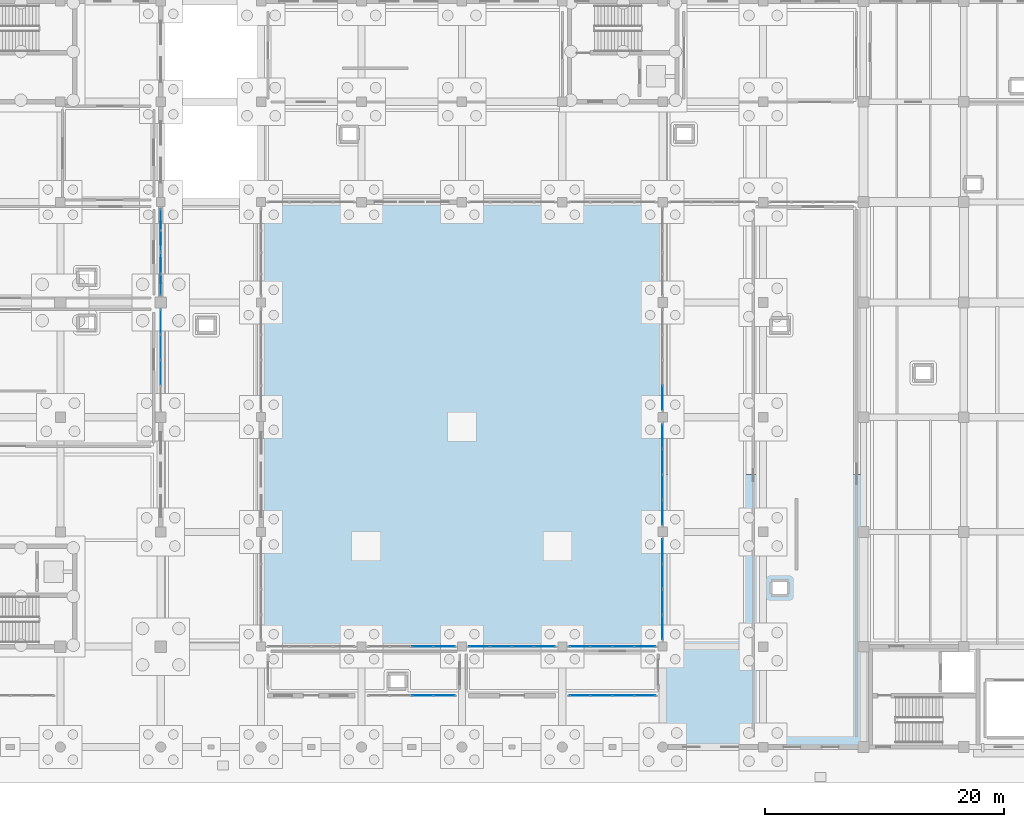
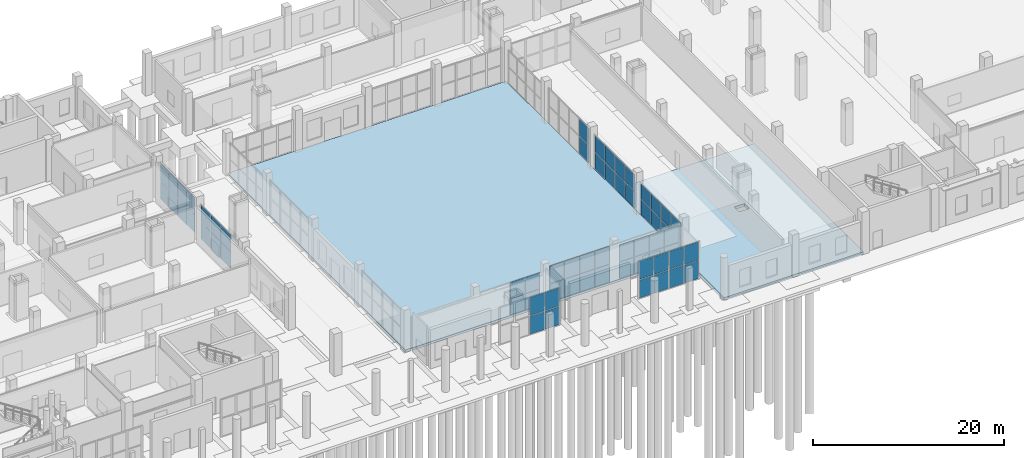
# One storey, part 33 of 65: 64 plates, 2 slabs, 10 elements without a shape of their own.
"""IFC4 building model written with IfcOpenShell, lengths in metres."""

from ifc_helpers import new_model, si_unit, direction, frame, origin, origin_2d, place, context, subcontext, project, spatial, polyline, rectangle, outline, extrude, material, layer, layer_set, type_object, element, aggregate, save


model = new_model("IFC4")

# Units and contexts
model_context = context("Model", 3, precision=1e-05, world=origin(), true_north=direction((0.0, 1.0)))
body_context = subcontext(model_context, "Body", "Model", "MODEL_VIEW")
ifc_project = project(units=[si_unit("LENGTHUNIT", "METRE"), si_unit("AREAUNIT", "SQUARE_METRE"), si_unit("VOLUMEUNIT", "CUBIC_METRE"), si_unit("PLANEANGLEUNIT", "RADIAN"), si_unit("MASSUNIT", "GRAM", prefix="KILO")], contexts=[model_context])

# Site, building, storey
site_placement = place(None, origin())
site = spatial("IfcSite", under=ifc_project, at=site_placement, CompositionType="ELEMENT")
building_placement = place(site_placement, origin())
building = spatial("IfcBuilding", under=site, at=building_placement, Name="Zulmaris Art Gallery", CompositionType="ELEMENT")
storey_placement = place(building_placement, origin())
storey = spatial("IfcBuildingStorey", under=building, at=storey_placement, Name="L00", CompositionType="ELEMENT", Elevation=0.0)

# Curtain wall, plates
ifc_material_1 = material(Name="Cloister & Court Glazed Curtain Wall", Category="aluminium")
ifc_layer_1 = layer(ifc_material_1, 0.179931640625)
ifc_layer_set_1 = layer_set([ifc_layer_1], Name="Cloister & Court Glazed Curtain Wall")
curtain_wall_type_1 = type_object("IfcCurtainWallType", Name="CW-CW03", PredefinedType="NOTDEFINED", material=ifc_layer_set_1)
curtain_wall_1_placement = place(storey_placement, origin())
curtain_wall_1 = element("IfcCurtainWall", 1, at=curtain_wall_1_placement, inside=storey, type_object=curtain_wall_type_1, Name="L00 curtain wall 55", PredefinedType="NOTDEFINED")
ifc_material_2 = material(Name="Triple Solar-Control Laminated Glass", Category="glass")
ifc_layer_2 = layer(ifc_material_2, 0.035888671875)
ifc_layer_set_2 = layer_set([ifc_layer_2], Name="Triple Solar-Control Laminated Glass")
plate_type = type_object("IfcPlateType", Name="CWPAN-GLZ", PredefinedType="CURTAIN_PANEL", material=ifc_layer_set_2)
plate_1_placement = place(storey_placement, frame((104.715087890625, 17.5, 0.074951171875), z_axis=(0.0, 0.0, 1.0), x_axis=(1.0, 0.0, 0.0)))
plate_1 = element("IfcPlate", 2, at=plate_1_placement, type_object=plate_type, Name="CW03 panel 3.1", PredefinedType="CURTAIN_PANEL", context=body_context, shape_type="SweptSolid", body=[
    extrude(rectangle(XDim=1.7548828125, YDim=0.031982421875, at=origin_2d()), origin(), (0.0, 0.0, 1.0), 2.3125),
])
plate_2_placement = place(storey_placement, frame((104.715087890625, 17.5, 2.46240234375), z_axis=(0.0, 0.0, 1.0), x_axis=(1.0, 0.0, 0.0)))
plate_2 = element("IfcPlate", 3, at=plate_2_placement, type_object=plate_type, Name="CW03 panel 3.2", PredefinedType="CURTAIN_PANEL", context=body_context, shape_type="SweptSolid", body=[
    extrude(rectangle(XDim=1.7548828125, YDim=0.031982421875, at=origin_2d()), origin(), (0.0, 0.0, 1.0), 2.3125),
])
plate_3_placement = place(storey_placement, frame((106.5263671875, 17.5, 0.074951171875), z_axis=(0.0, 0.0, 1.0), x_axis=(1.0, 0.0, 0.0)))
plate_3 = element("IfcPlate", 4, at=plate_3_placement, type_object=plate_type, Name="CW03 panel 4.1", PredefinedType="CURTAIN_PANEL", context=body_context, shape_type="SweptSolid", body=[
    extrude(rectangle(XDim=1.717529296875, YDim=0.031982421875, at=origin_2d()), origin(), (0.0, 0.0, 1.0), 2.3125),
])
plate_4_placement = place(storey_placement, frame((106.5263671875, 17.5, 2.46240234375), z_axis=(0.0, 0.0, 1.0), x_axis=(1.0, 0.0, 0.0)))
plate_4 = element("IfcPlate", 5, at=plate_4_placement, type_object=plate_type, Name="CW03 panel 4.2", PredefinedType="CURTAIN_PANEL", context=body_context, shape_type="SweptSolid", body=[
    extrude(rectangle(XDim=1.717529296875, YDim=0.031982421875, at=origin_2d()), origin(), (0.0, 0.0, 1.0), 2.3125),
])
aggregate(curtain_wall_1, [plate_1, plate_2, plate_3, plate_4])

curtain_wall_2_placement = place(storey_placement, origin())
curtain_wall_2 = element("IfcCurtainWall", 6, at=curtain_wall_2_placement, inside=storey, type_object=curtain_wall_type_1, Name="L00 curtain wall 56", PredefinedType="NOTDEFINED")
plate_5_placement = place(storey_placement, frame((117.873779296875, 17.5, 0.074951171875), z_axis=(0.0, 0.0, 1.0), x_axis=(1.0, 0.0, 0.0)))
plate_5 = element("IfcPlate", 7, at=plate_5_placement, type_object=plate_type, Name="CW03 panel 1.1", PredefinedType="CURTAIN_PANEL", context=body_context, shape_type="SweptSolid", body=[
    extrude(rectangle(XDim=1.717529296875, YDim=0.031982421875, at=origin_2d()), origin(), (0.0, 0.0, 1.0), 2.3125),
])
plate_6_placement = place(storey_placement, frame((117.873779296875, 17.5, 2.46240234375), z_axis=(0.0, 0.0, 1.0), x_axis=(1.0, 0.0, 0.0)))
plate_6 = element("IfcPlate", 8, at=plate_6_placement, type_object=plate_type, Name="CW03 panel 1.2", PredefinedType="CURTAIN_PANEL", context=body_context, shape_type="SweptSolid", body=[
    extrude(rectangle(XDim=1.717529296875, YDim=0.031982421875, at=origin_2d()), origin(), (0.0, 0.0, 1.0), 2.3125),
])
plate_7_placement = place(storey_placement, frame((119.68505859375, 17.5, 0.074951171875), z_axis=(0.0, 0.0, 1.0), x_axis=(1.0, 0.0, 0.0)))
plate_7 = element("IfcPlate", 9, at=plate_7_placement, type_object=plate_type, Name="CW03 panel 2.1", PredefinedType="CURTAIN_PANEL", context=body_context, shape_type="SweptSolid", body=[
    extrude(rectangle(XDim=1.7548828125, YDim=0.031982421875, at=origin_2d()), origin(), (0.0, 0.0, 1.0), 2.3125),
])
plate_8_placement = place(storey_placement, frame((119.68505859375, 17.5, 2.46240234375), z_axis=(0.0, 0.0, 1.0), x_axis=(1.0, 0.0, 0.0)))
plate_8 = element("IfcPlate", 10, at=plate_8_placement, type_object=plate_type, Name="CW03 panel 2.2", PredefinedType="CURTAIN_PANEL", context=body_context, shape_type="SweptSolid", body=[
    extrude(rectangle(XDim=1.7548828125, YDim=0.031982421875, at=origin_2d()), origin(), (0.0, 0.0, 1.0), 2.3125),
])
plate_9_placement = place(storey_placement, frame((121.514892578125, 17.5, 0.074951171875), z_axis=(0.0, 0.0, 1.0), x_axis=(1.0, 0.0, 0.0)))
plate_9 = element("IfcPlate", 11, at=plate_9_placement, type_object=plate_type, Name="CW03 panel 3.1", PredefinedType="CURTAIN_PANEL", context=body_context, shape_type="SweptSolid", body=[
    extrude(rectangle(XDim=1.7548828125, YDim=0.031982421875, at=origin_2d()), origin(), (0.0, 0.0, 1.0), 2.3125),
])
plate_10_placement = place(storey_placement, frame((121.514892578125, 17.5, 2.46240234375), z_axis=(0.0, 0.0, 1.0), x_axis=(1.0, 0.0, 0.0)))
plate_10 = element("IfcPlate", 12, at=plate_10_placement, type_object=plate_type, Name="CW03 panel 3.2", PredefinedType="CURTAIN_PANEL", context=body_context, shape_type="SweptSolid", body=[
    extrude(rectangle(XDim=1.7548828125, YDim=0.031982421875, at=origin_2d()), origin(), (0.0, 0.0, 1.0), 2.3125),
])
plate_11_placement = place(storey_placement, frame((123.326171875, 17.5, 0.074951171875), z_axis=(0.0, 0.0, 1.0), x_axis=(1.0, 0.0, 0.0)))
plate_11 = element("IfcPlate", 13, at=plate_11_placement, type_object=plate_type, Name="CW03 panel 4.1", PredefinedType="CURTAIN_PANEL", context=body_context, shape_type="SweptSolid", body=[
    extrude(rectangle(XDim=1.717529296875, YDim=0.031982421875, at=origin_2d()), origin(), (0.0, 0.0, 1.0), 2.3125),
])
plate_12_placement = place(storey_placement, frame((123.326171875, 17.5, 2.46240234375), z_axis=(0.0, 0.0, 1.0), x_axis=(1.0, 0.0, 0.0)))
plate_12 = element("IfcPlate", 14, at=plate_12_placement, type_object=plate_type, Name="CW03 panel 4.2", PredefinedType="CURTAIN_PANEL", context=body_context, shape_type="SweptSolid", body=[
    extrude(rectangle(XDim=1.717529296875, YDim=0.031982421875, at=origin_2d()), origin(), (0.0, 0.0, 1.0), 2.3125),
])
aggregate(curtain_wall_2, [plate_5, plate_6, plate_7, plate_8, plate_9, plate_10, plate_11, plate_12])

curtain_wall_3_placement = place(storey_placement, origin())
curtain_wall_3 = element("IfcCurtainWall", 15, at=curtain_wall_3_placement, inside=storey, type_object=curtain_wall_type_1, Name="L00 curtain wall 67", PredefinedType="NOTDEFINED")
plate_13_placement = place(storey_placement, frame((82.800048828125, 44.534912109375, 0.074951171875), z_axis=(0.0, 0.0, 1.0), x_axis=(0.0, 1.0, 0.0)))
plate_13 = element("IfcPlate", 16, at=plate_13_placement, type_object=plate_type, Name="CW03 panel 2.1", PredefinedType="CURTAIN_PANEL", context=body_context, shape_type="SweptSolid", body=[
    extrude(rectangle(XDim=2.054931640625, YDim=0.031982421875, at=origin_2d()), origin(), (0.0, 0.0, 1.0), 2.107421875),
])
plate_14_placement = place(storey_placement, frame((82.800048828125, 44.534912109375, 2.257568359375), z_axis=(0.0, 0.0, 1.0), x_axis=(0.0, 1.0, 0.0)))
plate_14 = element("IfcPlate", 17, at=plate_14_placement, type_object=plate_type, Name="CW03 panel 2.2", PredefinedType="CURTAIN_PANEL", context=body_context, shape_type="SweptSolid", body=[
    extrude(rectangle(XDim=2.054931640625, YDim=0.031982421875, at=origin_2d()), origin(), (0.0, 0.0, 1.0), 2.107421875),
])
plate_15_placement = place(storey_placement, frame((82.800048828125, 46.6650390625, 0.074951171875), z_axis=(0.0, 0.0, 1.0), x_axis=(0.0, 1.0, 0.0)))
plate_15 = element("IfcPlate", 18, at=plate_15_placement, type_object=plate_type, Name="CW03 panel 3.1", PredefinedType="CURTAIN_PANEL", context=body_context, shape_type="SweptSolid", body=[
    extrude(rectangle(XDim=2.054931640625, YDim=0.031982421875, at=origin_2d()), origin(), (0.0, 0.0, 1.0), 2.107421875),
])
plate_16_placement = place(storey_placement, frame((82.800048828125, 46.6650390625, 2.257568359375), z_axis=(0.0, 0.0, 1.0), x_axis=(0.0, 1.0, 0.0)))
plate_16 = element("IfcPlate", 19, at=plate_16_placement, type_object=plate_type, Name="CW03 panel 3.2", PredefinedType="CURTAIN_PANEL", context=body_context, shape_type="SweptSolid", body=[
    extrude(rectangle(XDim=2.054931640625, YDim=0.031982421875, at=origin_2d()), origin(), (0.0, 0.0, 1.0), 2.107421875),
])
plate_17_placement = place(storey_placement, frame((82.800048828125, 48.7763671875, 0.074951171875), z_axis=(0.0, 0.0, 1.0), x_axis=(0.0, 1.0, 0.0)))
plate_17 = element("IfcPlate", 20, at=plate_17_placement, type_object=plate_type, Name="CW03 panel 4.1", PredefinedType="CURTAIN_PANEL", context=body_context, shape_type="SweptSolid", body=[
    extrude(rectangle(XDim=2.017578125, YDim=0.031982421875, at=origin_2d()), origin(), (0.0, 0.0, 1.0), 2.107421875),
])
plate_18_placement = place(storey_placement, frame((82.800048828125, 48.7763671875, 2.257568359375), z_axis=(0.0, 0.0, 1.0), x_axis=(0.0, 1.0, 0.0)))
plate_18 = element("IfcPlate", 21, at=plate_18_placement, type_object=plate_type, Name="CW03 panel 4.2", PredefinedType="CURTAIN_PANEL", context=body_context, shape_type="SweptSolid", body=[
    extrude(rectangle(XDim=2.017578125, YDim=0.031982421875, at=origin_2d()), origin(), (0.0, 0.0, 1.0), 2.107421875),
])
aggregate(curtain_wall_3, [plate_13, plate_14, plate_15, plate_16, plate_17, plate_18])

curtain_wall_4_placement = place(storey_placement, origin())
curtain_wall_4 = element("IfcCurtainWall", 22, at=curtain_wall_4_placement, inside=storey, type_object=curtain_wall_type_1, Name="L00 curtain wall 69", PredefinedType="NOTDEFINED")
plate_19_placement = place(storey_placement, frame((82.800048828125, 51.873779296875, 0.074951171875), z_axis=(0.0, 0.0, 1.0), x_axis=(0.0, 1.0, 0.0)))
plate_19 = element("IfcPlate", 23, at=plate_19_placement, type_object=plate_type, Name="CW03 panel 1.1", PredefinedType="CURTAIN_PANEL", context=body_context, shape_type="SweptSolid", body=[
    extrude(rectangle(XDim=1.717529296875, YDim=0.031982421875, at=origin_2d()), origin(), (0.0, 0.0, 1.0), 2.1826171875),
])
plate_20_placement = place(storey_placement, frame((82.800048828125, 51.873779296875, 2.33251953125), z_axis=(0.0, 0.0, 1.0), x_axis=(0.0, 1.0, 0.0)))
plate_20 = element("IfcPlate", 24, at=plate_20_placement, type_object=plate_type, Name="CW03 panel 1.2", PredefinedType="CURTAIN_PANEL", context=body_context, shape_type="SweptSolid", body=[
    extrude(rectangle(XDim=1.717529296875, YDim=0.031982421875, at=origin_2d()), origin(), (0.0, 0.0, 1.0), 2.1826171875),
])
plate_21_placement = place(storey_placement, frame((82.800048828125, 53.68505859375, 0.074951171875), z_axis=(0.0, 0.0, 1.0), x_axis=(0.0, 1.0, 0.0)))
plate_21 = element("IfcPlate", 25, at=plate_21_placement, type_object=plate_type, Name="CW03 panel 2.1", PredefinedType="CURTAIN_PANEL", context=body_context, shape_type="SweptSolid", body=[
    extrude(rectangle(XDim=1.7548828125, YDim=0.031982421875, at=origin_2d()), origin(), (0.0, 0.0, 1.0), 2.1826171875),
])
plate_22_placement = place(storey_placement, frame((82.800048828125, 53.68505859375, 2.33251953125), z_axis=(0.0, 0.0, 1.0), x_axis=(0.0, 1.0, 0.0)))
plate_22 = element("IfcPlate", 26, at=plate_22_placement, type_object=plate_type, Name="CW03 panel 2.2", PredefinedType="CURTAIN_PANEL", context=body_context, shape_type="SweptSolid", body=[
    extrude(rectangle(XDim=1.7548828125, YDim=0.031982421875, at=origin_2d()), origin(), (0.0, 0.0, 1.0), 2.1826171875),
])
plate_23_placement = place(storey_placement, frame((82.800048828125, 55.514892578125, 0.074951171875), z_axis=(0.0, 0.0, 1.0), x_axis=(0.0, 1.0, 0.0)))
plate_23 = element("IfcPlate", 27, at=plate_23_placement, type_object=plate_type, Name="CW03 panel 3.1", PredefinedType="CURTAIN_PANEL", context=body_context, shape_type="SweptSolid", body=[
    extrude(rectangle(XDim=1.7548828125, YDim=0.031982421875, at=origin_2d()), origin(), (0.0, 0.0, 1.0), 2.1826171875),
])
plate_24_placement = place(storey_placement, frame((82.800048828125, 55.514892578125, 2.33251953125), z_axis=(0.0, 0.0, 1.0), x_axis=(0.0, 1.0, 0.0)))
plate_24 = element("IfcPlate", 28, at=plate_24_placement, type_object=plate_type, Name="CW03 panel 3.2", PredefinedType="CURTAIN_PANEL", context=body_context, shape_type="SweptSolid", body=[
    extrude(rectangle(XDim=1.7548828125, YDim=0.031982421875, at=origin_2d()), origin(), (0.0, 0.0, 1.0), 2.1826171875),
])
plate_25_placement = place(storey_placement, frame((82.800048828125, 57.326171875, 0.074951171875), z_axis=(0.0, 0.0, 1.0), x_axis=(0.0, 1.0, 0.0)))
plate_25 = element("IfcPlate", 29, at=plate_25_placement, type_object=plate_type, Name="CW03 panel 4.1", PredefinedType="CURTAIN_PANEL", context=body_context, shape_type="SweptSolid", body=[
    extrude(rectangle(XDim=1.717529296875, YDim=0.031982421875, at=origin_2d()), origin(), (0.0, 0.0, 1.0), 2.1826171875),
])
plate_26_placement = place(storey_placement, frame((82.800048828125, 57.326171875, 2.33251953125), z_axis=(0.0, 0.0, 1.0), x_axis=(0.0, 1.0, 0.0)))
plate_26 = element("IfcPlate", 30, at=plate_26_placement, type_object=plate_type, Name="CW03 panel 4.2", PredefinedType="CURTAIN_PANEL", context=body_context, shape_type="SweptSolid", body=[
    extrude(rectangle(XDim=1.717529296875, YDim=0.031982421875, at=origin_2d()), origin(), (0.0, 0.0, 1.0), 2.1826171875),
])
aggregate(curtain_wall_4, [plate_19, plate_20, plate_21, plate_22, plate_23, plate_24, plate_25, plate_26])

ifc_material_3 = material(Name="Unitised Low-E Gallery Curtain Wall", Category="aluminium")
ifc_layer_3 = layer(ifc_material_3, 0.179931640625)
ifc_layer_set_3 = layer_set([ifc_layer_3], Name="Unitised Low-E Gallery Curtain Wall")
curtain_wall_type_2 = type_object("IfcCurtainWallType", Name="CW-CW01", PredefinedType="NOTDEFINED", material=ifc_layer_set_3)
curtain_wall_5_placement = place(storey_placement, origin())
curtain_wall_5 = element("IfcCurtainWall", 31, at=curtain_wall_5_placement, inside=storey, type_object=curtain_wall_type_2, Name="L00 curtain wall 90", PredefinedType="NOTDEFINED")
plate_27_placement = place(storey_placement, frame((124.800048828125, 23.2236328125, 0.074951171875), z_axis=(0.0, 0.0, 1.0), x_axis=(0.0, 1.0, 0.0)))
plate_27 = element("IfcPlate", 32, at=plate_27_placement, type_object=plate_type, Name="CW01 panel 1.1", PredefinedType="CURTAIN_PANEL", context=body_context, shape_type="SweptSolid", body=[
    extrude(rectangle(XDim=2.017578125, YDim=0.031982421875, at=origin_2d()), origin(), (0.0, 0.0, 1.0), 1.9326171875),
])
plate_28_placement = place(storey_placement, frame((124.800048828125, 23.2236328125, 2.08251953125), z_axis=(0.0, 0.0, 1.0), x_axis=(0.0, 1.0, 0.0)))
plate_28 = element("IfcPlate", 33, at=plate_28_placement, type_object=plate_type, Name="CW01 panel 1.2", PredefinedType="CURTAIN_PANEL", context=body_context, shape_type="SweptSolid", body=[
    extrude(rectangle(XDim=2.017578125, YDim=0.031982421875, at=origin_2d()), origin(), (0.0, 0.0, 1.0), 1.9326171875),
])
plate_29_placement = place(storey_placement, frame((124.800048828125, 25.3349609375, 0.074951171875), z_axis=(0.0, 0.0, 1.0), x_axis=(0.0, 1.0, 0.0)))
plate_29 = element("IfcPlate", 34, at=plate_29_placement, type_object=plate_type, Name="CW01 panel 2.1", PredefinedType="CURTAIN_PANEL", context=body_context, shape_type="SweptSolid", body=[
    extrude(rectangle(XDim=2.054931640625, YDim=0.031982421875, at=origin_2d()), origin(), (0.0, 0.0, 1.0), 1.9326171875),
])
plate_30_placement = place(storey_placement, frame((124.800048828125, 25.3349609375, 2.08251953125), z_axis=(0.0, 0.0, 1.0), x_axis=(0.0, 1.0, 0.0)))
plate_30 = element("IfcPlate", 35, at=plate_30_placement, type_object=plate_type, Name="CW01 panel 2.2", PredefinedType="CURTAIN_PANEL", context=body_context, shape_type="SweptSolid", body=[
    extrude(rectangle(XDim=2.054931640625, YDim=0.031982421875, at=origin_2d()), origin(), (0.0, 0.0, 1.0), 1.9326171875),
])
plate_31_placement = place(storey_placement, frame((124.800048828125, 27.465087890625, 0.074951171875), z_axis=(0.0, 0.0, 1.0), x_axis=(0.0, 1.0, 0.0)))
plate_31 = element("IfcPlate", 36, at=plate_31_placement, type_object=plate_type, Name="CW01 panel 3.1", PredefinedType="CURTAIN_PANEL", context=body_context, shape_type="SweptSolid", body=[
    extrude(rectangle(XDim=2.054931640625, YDim=0.031982421875, at=origin_2d()), origin(), (0.0, 0.0, 1.0), 1.9326171875),
])
plate_32_placement = place(storey_placement, frame((124.800048828125, 27.465087890625, 2.08251953125), z_axis=(0.0, 0.0, 1.0), x_axis=(0.0, 1.0, 0.0)))
plate_32 = element("IfcPlate", 37, at=plate_32_placement, type_object=plate_type, Name="CW01 panel 3.2", PredefinedType="CURTAIN_PANEL", context=body_context, shape_type="SweptSolid", body=[
    extrude(rectangle(XDim=2.054931640625, YDim=0.031982421875, at=origin_2d()), origin(), (0.0, 0.0, 1.0), 1.9326171875),
])
plate_33_placement = place(storey_placement, frame((124.800048828125, 29.576171875, 0.074951171875), z_axis=(0.0, 0.0, 1.0), x_axis=(0.0, 1.0, 0.0)))
plate_33 = element("IfcPlate", 38, at=plate_33_placement, type_object=plate_type, Name="CW01 panel 4.1", PredefinedType="CURTAIN_PANEL", context=body_context, shape_type="SweptSolid", body=[
    extrude(rectangle(XDim=2.017578125, YDim=0.031982421875, at=origin_2d()), origin(), (0.0, 0.0, 1.0), 1.9326171875),
])
plate_34_placement = place(storey_placement, frame((124.800048828125, 29.576171875, 2.08251953125), z_axis=(0.0, 0.0, 1.0), x_axis=(0.0, 1.0, 0.0)))
plate_34 = element("IfcPlate", 39, at=plate_34_placement, type_object=plate_type, Name="CW01 panel 4.2", PredefinedType="CURTAIN_PANEL", context=body_context, shape_type="SweptSolid", body=[
    extrude(rectangle(XDim=2.017578125, YDim=0.031982421875, at=origin_2d()), origin(), (0.0, 0.0, 1.0), 1.9326171875),
])
aggregate(curtain_wall_5, [plate_27, plate_28, plate_29, plate_30, plate_31, plate_32, plate_33, plate_34])

curtain_wall_6_placement = place(storey_placement, origin())
curtain_wall_6 = element("IfcCurtainWall", 40, at=curtain_wall_6_placement, inside=storey, type_object=curtain_wall_type_2, Name="L00 curtain wall 91", PredefinedType="NOTDEFINED")
plate_35_placement = place(storey_placement, frame((124.800048828125, 32.82373046875, 0.074951171875), z_axis=(0.0, 0.0, 1.0), x_axis=(0.0, 1.0, 0.0)))
plate_35 = element("IfcPlate", 41, at=plate_35_placement, type_object=plate_type, Name="CW01 panel 1.1", PredefinedType="CURTAIN_PANEL", context=body_context, shape_type="SweptSolid", body=[
    extrude(rectangle(XDim=2.017578125, YDim=0.031982421875, at=origin_2d()), origin(), (0.0, 0.0, 1.0), 2.107421875),
])
plate_36_placement = place(storey_placement, frame((124.800048828125, 32.82373046875, 2.257568359375), z_axis=(0.0, 0.0, 1.0), x_axis=(0.0, 1.0, 0.0)))
plate_36 = element("IfcPlate", 42, at=plate_36_placement, type_object=plate_type, Name="CW01 panel 1.2", PredefinedType="CURTAIN_PANEL", context=body_context, shape_type="SweptSolid", body=[
    extrude(rectangle(XDim=2.017578125, YDim=0.031982421875, at=origin_2d()), origin(), (0.0, 0.0, 1.0), 2.107421875),
])
plate_37_placement = place(storey_placement, frame((124.800048828125, 34.93505859375, 0.074951171875), z_axis=(0.0, 0.0, 1.0), x_axis=(0.0, 1.0, 0.0)))
plate_37 = element("IfcPlate", 43, at=plate_37_placement, type_object=plate_type, Name="CW01 panel 2.1", PredefinedType="CURTAIN_PANEL", context=body_context, shape_type="SweptSolid", body=[
    extrude(rectangle(XDim=2.054931640625, YDim=0.031982421875, at=origin_2d()), origin(), (0.0, 0.0, 1.0), 2.107421875),
])
plate_38_placement = place(storey_placement, frame((124.800048828125, 34.93505859375, 2.257568359375), z_axis=(0.0, 0.0, 1.0), x_axis=(0.0, 1.0, 0.0)))
plate_38 = element("IfcPlate", 44, at=plate_38_placement, type_object=plate_type, Name="CW01 panel 2.2", PredefinedType="CURTAIN_PANEL", context=body_context, shape_type="SweptSolid", body=[
    extrude(rectangle(XDim=2.054931640625, YDim=0.031982421875, at=origin_2d()), origin(), (0.0, 0.0, 1.0), 2.107421875),
])
plate_39_placement = place(storey_placement, frame((124.800048828125, 37.06494140625, 0.074951171875), z_axis=(0.0, 0.0, 1.0), x_axis=(0.0, 1.0, 0.0)))
plate_39 = element("IfcPlate", 45, at=plate_39_placement, type_object=plate_type, Name="CW01 panel 3.1", PredefinedType="CURTAIN_PANEL", context=body_context, shape_type="SweptSolid", body=[
    extrude(rectangle(XDim=2.054931640625, YDim=0.031982421875, at=origin_2d()), origin(), (0.0, 0.0, 1.0), 2.107421875),
])
plate_40_placement = place(storey_placement, frame((124.800048828125, 37.06494140625, 2.257568359375), z_axis=(0.0, 0.0, 1.0), x_axis=(0.0, 1.0, 0.0)))
plate_40 = element("IfcPlate", 46, at=plate_40_placement, type_object=plate_type, Name="CW01 panel 3.2", PredefinedType="CURTAIN_PANEL", context=body_context, shape_type="SweptSolid", body=[
    extrude(rectangle(XDim=2.054931640625, YDim=0.031982421875, at=origin_2d()), origin(), (0.0, 0.0, 1.0), 2.107421875),
])
plate_41_placement = place(storey_placement, frame((124.800048828125, 39.17626953125, 0.074951171875), z_axis=(0.0, 0.0, 1.0), x_axis=(0.0, 1.0, 0.0)))
plate_41 = element("IfcPlate", 47, at=plate_41_placement, type_object=plate_type, Name="CW01 panel 4.1", PredefinedType="CURTAIN_PANEL", context=body_context, shape_type="SweptSolid", body=[
    extrude(rectangle(XDim=2.017578125, YDim=0.031982421875, at=origin_2d()), origin(), (0.0, 0.0, 1.0), 2.107421875),
])
plate_42_placement = place(storey_placement, frame((124.800048828125, 39.17626953125, 2.257568359375), z_axis=(0.0, 0.0, 1.0), x_axis=(0.0, 1.0, 0.0)))
plate_42 = element("IfcPlate", 48, at=plate_42_placement, type_object=plate_type, Name="CW01 panel 4.2", PredefinedType="CURTAIN_PANEL", context=body_context, shape_type="SweptSolid", body=[
    extrude(rectangle(XDim=2.017578125, YDim=0.031982421875, at=origin_2d()), origin(), (0.0, 0.0, 1.0), 2.107421875),
])
aggregate(curtain_wall_6, [plate_35, plate_36, plate_37, plate_38, plate_39, plate_40, plate_41, plate_42])

curtain_wall_7_placement = place(storey_placement, origin())
curtain_wall_7 = element("IfcCurtainWall", 49, at=curtain_wall_7_placement, inside=storey, type_object=curtain_wall_type_2, Name="L00 curtain wall 92", PredefinedType="NOTDEFINED")
plate_43_placement = place(storey_placement, frame((124.800048828125, 42.423828125, 0.074951171875), z_axis=(0.0, 0.0, 1.0), x_axis=(0.0, 1.0, 0.0)))
plate_43 = element("IfcPlate", 50, at=plate_43_placement, type_object=plate_type, Name="CW01 panel 1.1", PredefinedType="CURTAIN_PANEL", context=body_context, shape_type="SweptSolid", body=[
    extrude(rectangle(XDim=2.017578125, YDim=0.031982421875, at=origin_2d()), origin(), (0.0, 0.0, 1.0), 2.1826171875),
])
plate_44_placement = place(storey_placement, frame((124.800048828125, 42.423828125, 2.33251953125), z_axis=(0.0, 0.0, 1.0), x_axis=(0.0, 1.0, 0.0)))
plate_44 = element("IfcPlate", 51, at=plate_44_placement, type_object=plate_type, Name="CW01 panel 1.2", PredefinedType="CURTAIN_PANEL", context=body_context, shape_type="SweptSolid", body=[
    extrude(rectangle(XDim=2.017578125, YDim=0.031982421875, at=origin_2d()), origin(), (0.0, 0.0, 1.0), 2.1826171875),
])
aggregate(curtain_wall_7, [plate_43, plate_44])

curtain_wall_8_placement = place(storey_placement, origin())
curtain_wall_8 = element("IfcCurtainWall", 52, at=curtain_wall_8_placement, inside=storey, type_object=curtain_wall_type_1, Name="L00 curtain wall 186", PredefinedType="NOTDEFINED")
plate_45_placement = place(storey_placement, frame((104.715087890625, 21.60009765625, 0.0751953125), z_axis=(0.0, 0.0, 1.0), x_axis=(1.0, 0.0, 0.0)))
plate_45 = element("IfcPlate", 53, at=plate_45_placement, type_object=plate_type, Name="CW03 panel 3.1", PredefinedType="CURTAIN_PANEL", context=body_context, shape_type="SweptSolid", body=[
    extrude(rectangle(XDim=1.7548828125, YDim=0.031982421875, at=origin_2d()), origin(), (0.0, 0.0, 1.0), 2.032470703125),
])
plate_46_placement = place(storey_placement, frame((104.715087890625, 21.60009765625, 2.1826171875), z_axis=(0.0, 0.0, 1.0), x_axis=(1.0, 0.0, 0.0)))
plate_46 = element("IfcPlate", 54, at=plate_46_placement, type_object=plate_type, Name="CW03 panel 3.2", PredefinedType="CURTAIN_PANEL", context=body_context, shape_type="SweptSolid", body=[
    extrude(rectangle(XDim=1.7548828125, YDim=0.031982421875, at=origin_2d()), origin(), (0.0, 0.0, 1.0), 2.032470703125),
])
plate_47_placement = place(storey_placement, frame((106.5263671875, 21.60009765625, 0.0751953125), z_axis=(0.0, 0.0, 1.0), x_axis=(1.0, 0.0, 0.0)))
plate_47 = element("IfcPlate", 55, at=plate_47_placement, type_object=plate_type, Name="CW03 panel 4.1", PredefinedType="CURTAIN_PANEL", context=body_context, shape_type="SweptSolid", body=[
    extrude(rectangle(XDim=1.717529296875, YDim=0.031982421875, at=origin_2d()), origin(), (0.0, 0.0, 1.0), 2.032470703125),
])
plate_48_placement = place(storey_placement, frame((106.5263671875, 21.60009765625, 2.1826171875), z_axis=(0.0, 0.0, 1.0), x_axis=(1.0, 0.0, 0.0)))
plate_48 = element("IfcPlate", 56, at=plate_48_placement, type_object=plate_type, Name="CW03 panel 4.2", PredefinedType="CURTAIN_PANEL", context=body_context, shape_type="SweptSolid", body=[
    extrude(rectangle(XDim=1.717529296875, YDim=0.031982421875, at=origin_2d()), origin(), (0.0, 0.0, 1.0), 2.032470703125),
])
aggregate(curtain_wall_8, [plate_45, plate_46, plate_47, plate_48])

curtain_wall_9_placement = place(storey_placement, origin())
curtain_wall_9 = element("IfcCurtainWall", 57, at=curtain_wall_9_placement, inside=storey, type_object=curtain_wall_type_1, Name="L00 curtain wall 187", PredefinedType="NOTDEFINED")
plate_49_placement = place(storey_placement, frame((109.4736328125, 21.60009765625, 0.0751953125), z_axis=(0.0, 0.0, 1.0), x_axis=(1.0, 0.0, 0.0)))
plate_49 = element("IfcPlate", 58, at=plate_49_placement, type_object=plate_type, Name="CW03 panel 1.1", PredefinedType="CURTAIN_PANEL", context=body_context, shape_type="SweptSolid", body=[
    extrude(rectangle(XDim=1.717529296875, YDim=0.031982421875, at=origin_2d()), origin(), (0.0, 0.0, 1.0), 2.242431640625),
])
plate_50_placement = place(storey_placement, frame((109.4736328125, 21.60009765625, 2.392578125), z_axis=(0.0, 0.0, 1.0), x_axis=(1.0, 0.0, 0.0)))
plate_50 = element("IfcPlate", 59, at=plate_50_placement, type_object=plate_type, Name="CW03 panel 1.2", PredefinedType="CURTAIN_PANEL", context=body_context, shape_type="SweptSolid", body=[
    extrude(rectangle(XDim=1.717529296875, YDim=0.031982421875, at=origin_2d()), origin(), (0.0, 0.0, 1.0), 2.242431640625),
])
plate_51_placement = place(storey_placement, frame((111.284912109375, 21.60009765625, 0.0751953125), z_axis=(0.0, 0.0, 1.0), x_axis=(1.0, 0.0, 0.0)))
plate_51 = element("IfcPlate", 60, at=plate_51_placement, type_object=plate_type, Name="CW03 panel 2.1", PredefinedType="CURTAIN_PANEL", context=body_context, shape_type="SweptSolid", body=[
    extrude(rectangle(XDim=1.7548828125, YDim=0.031982421875, at=origin_2d()), origin(), (0.0, 0.0, 1.0), 2.242431640625),
])
plate_52_placement = place(storey_placement, frame((111.284912109375, 21.60009765625, 2.392578125), z_axis=(0.0, 0.0, 1.0), x_axis=(1.0, 0.0, 0.0)))
plate_52 = element("IfcPlate", 61, at=plate_52_placement, type_object=plate_type, Name="CW03 panel 2.2", PredefinedType="CURTAIN_PANEL", context=body_context, shape_type="SweptSolid", body=[
    extrude(rectangle(XDim=1.7548828125, YDim=0.031982421875, at=origin_2d()), origin(), (0.0, 0.0, 1.0), 2.242431640625),
])
plate_53_placement = place(storey_placement, frame((113.114990234375, 21.60009765625, 0.0751953125), z_axis=(0.0, 0.0, 1.0), x_axis=(1.0, 0.0, 0.0)))
plate_53 = element("IfcPlate", 62, at=plate_53_placement, type_object=plate_type, Name="CW03 panel 3.1", PredefinedType="CURTAIN_PANEL", context=body_context, shape_type="SweptSolid", body=[
    extrude(rectangle(XDim=1.7548828125, YDim=0.031982421875, at=origin_2d()), origin(), (0.0, 0.0, 1.0), 2.242431640625),
])
plate_54_placement = place(storey_placement, frame((113.114990234375, 21.60009765625, 2.392578125), z_axis=(0.0, 0.0, 1.0), x_axis=(1.0, 0.0, 0.0)))
plate_54 = element("IfcPlate", 63, at=plate_54_placement, type_object=plate_type, Name="CW03 panel 3.2", PredefinedType="CURTAIN_PANEL", context=body_context, shape_type="SweptSolid", body=[
    extrude(rectangle(XDim=1.7548828125, YDim=0.031982421875, at=origin_2d()), origin(), (0.0, 0.0, 1.0), 2.242431640625),
])
plate_55_placement = place(storey_placement, frame((114.92626953125, 21.60009765625, 0.0751953125), z_axis=(0.0, 0.0, 1.0), x_axis=(1.0, 0.0, 0.0)))
plate_55 = element("IfcPlate", 64, at=plate_55_placement, type_object=plate_type, Name="CW03 panel 4.1", PredefinedType="CURTAIN_PANEL", context=body_context, shape_type="SweptSolid", body=[
    extrude(rectangle(XDim=1.717529296875, YDim=0.031982421875, at=origin_2d()), origin(), (0.0, 0.0, 1.0), 2.242431640625),
])
plate_56_placement = place(storey_placement, frame((114.92626953125, 21.60009765625, 2.392578125), z_axis=(0.0, 0.0, 1.0), x_axis=(1.0, 0.0, 0.0)))
plate_56 = element("IfcPlate", 65, at=plate_56_placement, type_object=plate_type, Name="CW03 panel 4.2", PredefinedType="CURTAIN_PANEL", context=body_context, shape_type="SweptSolid", body=[
    extrude(rectangle(XDim=1.717529296875, YDim=0.031982421875, at=origin_2d()), origin(), (0.0, 0.0, 1.0), 2.242431640625),
])
aggregate(curtain_wall_9, [plate_49, plate_50, plate_51, plate_52, plate_53, plate_54, plate_55, plate_56])

curtain_wall_10_placement = place(storey_placement, origin())
curtain_wall_10 = element("IfcCurtainWall", 66, at=curtain_wall_10_placement, inside=storey, type_object=curtain_wall_type_1, Name="L00 curtain wall 188", PredefinedType="NOTDEFINED")
plate_57_placement = place(storey_placement, frame((117.873779296875, 21.60009765625, 0.074951171875), z_axis=(0.0, 0.0, 1.0), x_axis=(1.0, 0.0, 0.0)))
plate_57 = element("IfcPlate", 67, at=plate_57_placement, type_object=plate_type, Name="CW03 panel 1.1", PredefinedType="CURTAIN_PANEL", context=body_context, shape_type="SweptSolid", body=[
    extrude(rectangle(XDim=1.717529296875, YDim=0.031982421875, at=origin_2d()), origin(), (0.0, 0.0, 1.0), 2.107421875),
])
plate_58_placement = place(storey_placement, frame((117.873779296875, 21.60009765625, 2.257568359375), z_axis=(0.0, 0.0, 1.0), x_axis=(1.0, 0.0, 0.0)))
plate_58 = element("IfcPlate", 68, at=plate_58_placement, type_object=plate_type, Name="CW03 panel 1.2", PredefinedType="CURTAIN_PANEL", context=body_context, shape_type="SweptSolid", body=[
    extrude(rectangle(XDim=1.717529296875, YDim=0.031982421875, at=origin_2d()), origin(), (0.0, 0.0, 1.0), 2.107421875),
])
plate_59_placement = place(storey_placement, frame((119.68505859375, 21.60009765625, 0.074951171875), z_axis=(0.0, 0.0, 1.0), x_axis=(1.0, 0.0, 0.0)))
plate_59 = element("IfcPlate", 69, at=plate_59_placement, type_object=plate_type, Name="CW03 panel 2.1", PredefinedType="CURTAIN_PANEL", context=body_context, shape_type="SweptSolid", body=[
    extrude(rectangle(XDim=1.7548828125, YDim=0.031982421875, at=origin_2d()), origin(), (0.0, 0.0, 1.0), 2.107421875),
])
plate_60_placement = place(storey_placement, frame((119.68505859375, 21.60009765625, 2.257568359375), z_axis=(0.0, 0.0, 1.0), x_axis=(1.0, 0.0, 0.0)))
plate_60 = element("IfcPlate", 70, at=plate_60_placement, type_object=plate_type, Name="CW03 panel 2.2", PredefinedType="CURTAIN_PANEL", context=body_context, shape_type="SweptSolid", body=[
    extrude(rectangle(XDim=1.7548828125, YDim=0.031982421875, at=origin_2d()), origin(), (0.0, 0.0, 1.0), 2.107421875),
])
plate_61_placement = place(storey_placement, frame((121.514892578125, 21.60009765625, 0.074951171875), z_axis=(0.0, 0.0, 1.0), x_axis=(1.0, 0.0, 0.0)))
plate_61 = element("IfcPlate", 71, at=plate_61_placement, type_object=plate_type, Name="CW03 panel 3.1", PredefinedType="CURTAIN_PANEL", context=body_context, shape_type="SweptSolid", body=[
    extrude(rectangle(XDim=1.7548828125, YDim=0.031982421875, at=origin_2d()), origin(), (0.0, 0.0, 1.0), 2.107421875),
])
plate_62_placement = place(storey_placement, frame((121.514892578125, 21.60009765625, 2.257568359375), z_axis=(0.0, 0.0, 1.0), x_axis=(1.0, 0.0, 0.0)))
plate_62 = element("IfcPlate", 72, at=plate_62_placement, type_object=plate_type, Name="CW03 panel 3.2", PredefinedType="CURTAIN_PANEL", context=body_context, shape_type="SweptSolid", body=[
    extrude(rectangle(XDim=1.7548828125, YDim=0.031982421875, at=origin_2d()), origin(), (0.0, 0.0, 1.0), 2.107421875),
])
plate_63_placement = place(storey_placement, frame((123.326171875, 21.60009765625, 0.074951171875), z_axis=(0.0, 0.0, 1.0), x_axis=(1.0, 0.0, 0.0)))
plate_63 = element("IfcPlate", 73, at=plate_63_placement, type_object=plate_type, Name="CW03 panel 4.1", PredefinedType="CURTAIN_PANEL", context=body_context, shape_type="SweptSolid", body=[
    extrude(rectangle(XDim=1.717529296875, YDim=0.031982421875, at=origin_2d()), origin(), (0.0, 0.0, 1.0), 2.107421875),
])
plate_64_placement = place(storey_placement, frame((123.326171875, 21.60009765625, 2.257568359375), z_axis=(0.0, 0.0, 1.0), x_axis=(1.0, 0.0, 0.0)))
plate_64 = element("IfcPlate", 74, at=plate_64_placement, type_object=plate_type, Name="CW03 panel 4.2", PredefinedType="CURTAIN_PANEL", context=body_context, shape_type="SweptSolid", body=[
    extrude(rectangle(XDim=1.717529296875, YDim=0.031982421875, at=origin_2d()), origin(), (0.0, 0.0, 1.0), 2.107421875),
])
aggregate(curtain_wall_10, [plate_57, plate_58, plate_59, plate_60, plate_61, plate_62, plate_63, plate_64])

# Slabs
ifc_material_4 = material(Name="Concrete C40/50", Category="concrete")
ifc_layer_4 = layer(ifc_material_4, 0.360107421875)
ifc_layer_set_4 = layer_set([ifc_layer_4], Name="Concrete C40/50")
slab_type_1 = type_object("IfcSlabType", Name="SLAB-SL-BS02", PredefinedType="BASESLAB", material=ifc_layer_set_4)
slab_1_placement = place(storey_placement, frame((0.0, 0.0, -0.360107421875)))
element("IfcSlab", 75, at=slab_1_placement, inside=storey, type_object=slab_type_1, Name="L00 V4-ES slab", PredefinedType="BASESLAB", context=body_context, shape_type="SweptSolid", body=[
    extrude(outline(polyline([(124.800048828125, 13.199951171875), (124.800048828125, 36.0), (141.60009765625, 36.0), (141.60009765625, 13.199951171875), (124.800048828125, 13.199951171875)]), holes=[polyline([(135.199951171875, 26.0), (135.199951171875, 27.0), (134.0, 27.0), (134.0, 26.0), (135.199951171875, 26.0)])]), origin(), (0.0, 0.0, 1.0), 0.360107421875),
])
ifc_layer_5 = layer(ifc_material_4, 0.300048828125)
ifc_layer_set_5 = layer_set([ifc_layer_5], Name="Concrete C40/50")
slab_type_2 = type_object("IfcSlabType", Name="SLAB-SL-CAN01", PredefinedType="FLOOR", material=ifc_layer_set_5)
slab_2_placement = place(storey_placement, frame((0.0, 0.0, -0.300048828125)))
element("IfcSlab", 76, at=slab_2_placement, inside=storey, type_object=slab_type_2, Name="L00 Exterior Paved Court/Apron APR-SCULPT-COURT", PredefinedType="FLOOR", context=body_context, shape_type="SweptSolid", body=[
    extrude(outline(polyline([(91.199951171875, 21.60009765625), (124.800048828125, 21.60009765625), (124.800048828125, 58.800048828125), (91.199951171875, 58.800048828125), (91.199951171875, 21.60009765625)])), origin(), (0.0, 0.0, 1.0), 0.300048828125),
])

save(model, "model.ifc")
